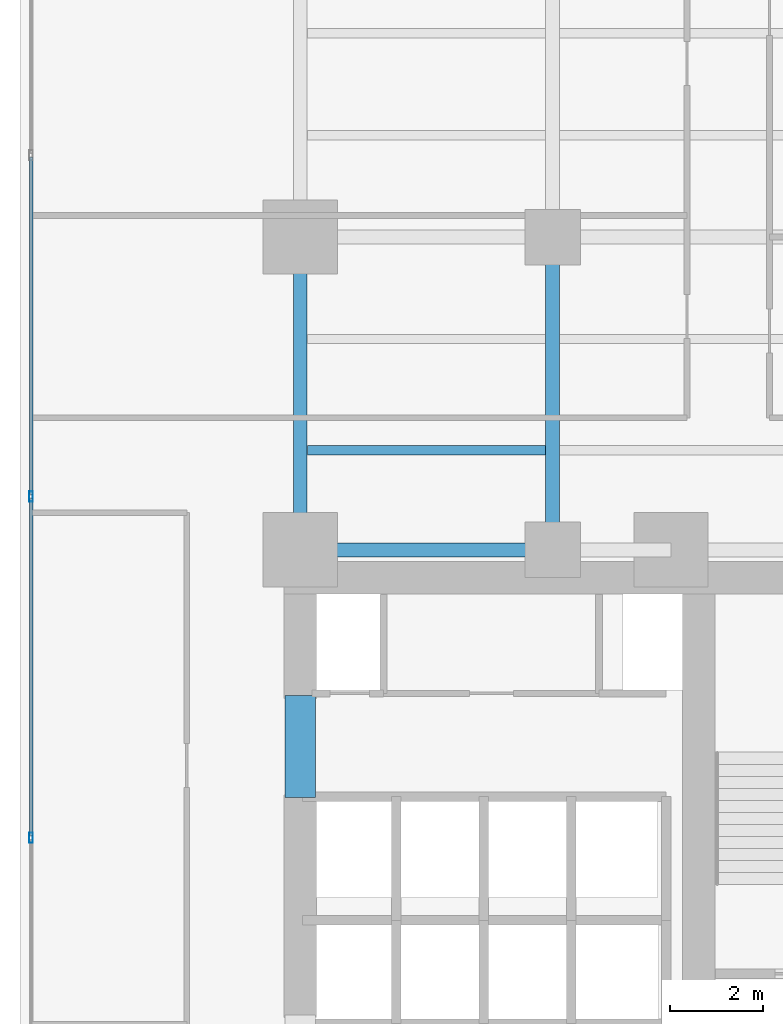
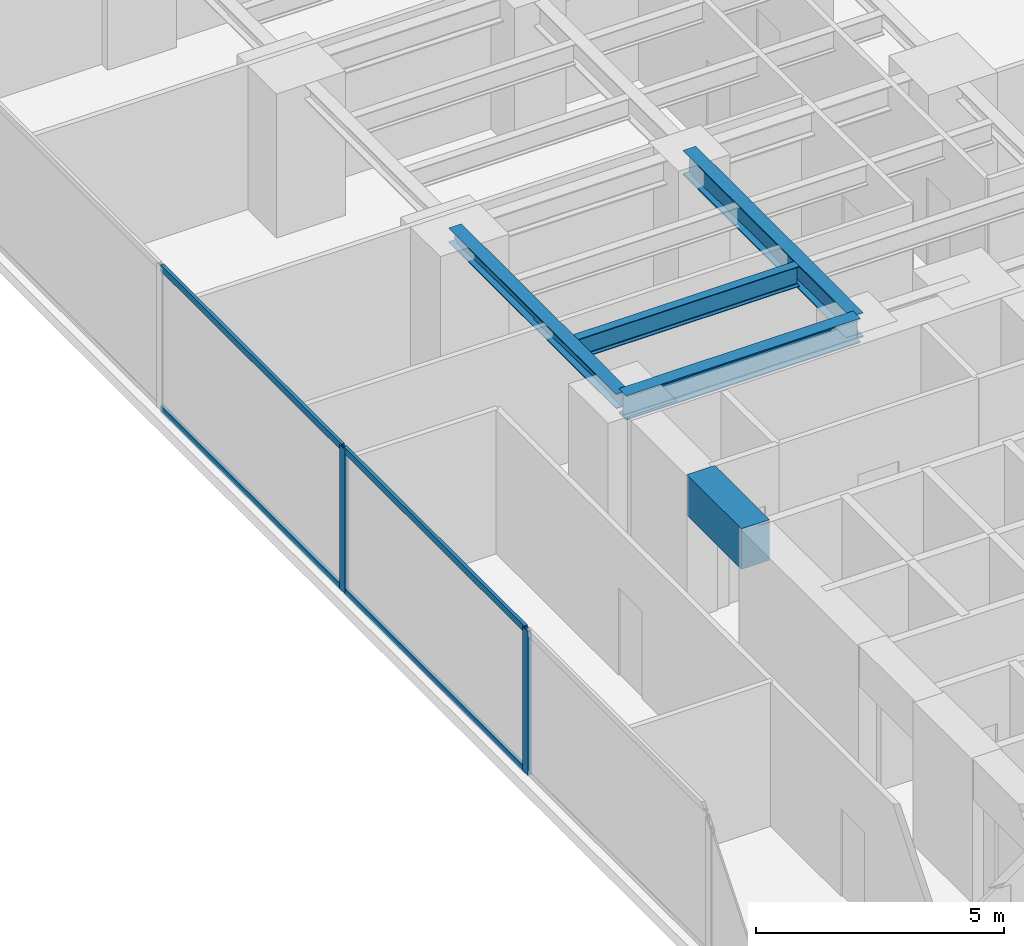
# One storey, part 6 of 27: 6 members, 5 beams, 1 element without a shape of its own.
"""IFC4 building model written with IfcOpenShell, lengths in metres."""

from ifc_helpers import new_model, si_unit, direction, frame, origin, origin_with_axes, origin_2d, place, context, subcontext, project, spatial, rectangle, hollow_rectangle, i_section, extrude, source, transform, mapped, material, layer, layer_set, material_profile, profile_set, type_object, element, aggregate, save


model = new_model("IFC4")

# Units and contexts
model_context = context("Model", 3, precision=1e-05, world=origin(), true_north=direction((0.0, 1.0)))
body_context = subcontext(model_context, "Body", "Model", "MODEL_VIEW")
ifc_project = project(units=[si_unit("LENGTHUNIT", "METRE"), si_unit("AREAUNIT", "SQUARE_METRE"), si_unit("VOLUMEUNIT", "CUBIC_METRE"), si_unit("PLANEANGLEUNIT", "RADIAN"), si_unit("MASSUNIT", "GRAM", prefix="KILO")], contexts=[model_context])

# Site, building, storey
site_placement = place(None, origin())
site = spatial("IfcSite", under=ifc_project, at=site_placement, CompositionType="ELEMENT")
building_placement = place(site_placement, origin())
building = spatial("IfcBuilding", under=site, at=building_placement, Name="Kolvaren Waterfront Exchange", CompositionType="ELEMENT")
storey_placement = place(building_placement, frame((0.0, 0.0, 63.800048828125)))
storey = spatial("IfcBuildingStorey", under=building, at=storey_placement, Name="L16", CompositionType="ELEMENT", Elevation=63.800048828125)

# Beams
ifc_material_1 = material(Name="Steel S355", Category="steel")
ifc_material_profile_1 = material_profile(ifc_material_1, i_section(OverallWidth=0.300048828125, OverallDepth=0.360107421875, WebThickness=0.012451171875, FlangeThickness=0.0224609375, FilletRadius=0.027099609375, at=origin_2d()), Name="HEB360")
ifc_profile_set_1 = profile_set([ifc_material_profile_1], Name="Steel S355")
beam_type_1 = type_object("IfcBeamType", Name="STR-BM-HEB360", PredefinedType="SPANDREL", material=ifc_profile_set_1)
beam_1_placement = place(storey_placement, frame((7.449951171875, 24.449951171875, 3.35986328125), z_axis=(0.0, 1.0, 0.0), x_axis=(-1.0, 0.0, 0.0)))
element("IfcBeam", 1, at=beam_1_placement, inside=storey, type_object=beam_type_1, Name="L16 north-arm edge beam 1", PredefinedType="SPANDREL", context=body_context, shape_type="SweptSolid", body=[
    extrude(i_section(OverallWidth=0.300048828125, OverallDepth=0.360107421875, WebThickness=0.012451171875, FlangeThickness=0.0224609375, FilletRadius=0.027099609375, at=origin_2d()), origin(), (0.0, 0.0, 1.0), 6.75),
])
ifc_material_profile_2 = material_profile(ifc_material_1, i_section(OverallWidth=0.300048828125, OverallDepth=0.60009765625, WebThickness=0.015380859375, FlangeThickness=0.030029296875, FilletRadius=0.027099609375, at=origin_2d()), Name="HEB600")
ifc_profile_set_2 = profile_set([ifc_material_profile_2], Name="Steel S355")
beam_type_2 = type_object("IfcBeamType", Name="STR-BM-HEB600", PredefinedType="BEAM", material=ifc_profile_set_2)
beam_2_placement = place(storey_placement, frame((7.449951171875, 24.449951171875, 3.239990234375), z_axis=(1.0, 0.0, 0.0), x_axis=(0.0, 1.0, 0.0)))
element("IfcBeam", 2, at=beam_2_placement, inside=storey, type_object=beam_type_2, Name="L16 north-arm girder 1A", PredefinedType="BEAM", context=body_context, shape_type="SweptSolid", body=[
    extrude(i_section(OverallWidth=0.300048828125, OverallDepth=0.60009765625, WebThickness=0.015380859375, FlangeThickness=0.030029296875, FilletRadius=0.027099609375, at=origin_2d()), origin(), (0.0, 0.0, 1.0), 5.449951171875),
])
beam_3_placement = place(storey_placement, frame((12.89990234375, 24.449951171875, 3.239990234375), z_axis=(0.0, 1.0, 0.0), x_axis=(-1.0, 0.0, 0.0)))
element("IfcBeam", 3, at=beam_3_placement, inside=storey, type_object=beam_type_2, Name="L16 north-arm edge beam 1", PredefinedType="BEAM", context=body_context, shape_type="SweptSolid", body=[
    extrude(i_section(OverallWidth=0.300048828125, OverallDepth=0.60009765625, WebThickness=0.015380859375, FlangeThickness=0.030029296875, FilletRadius=0.027099609375, at=origin_2d()), origin(), (0.0, 0.0, 1.0), 6.75),
])
ifc_material_profile_3 = material_profile(ifc_material_1, i_section(OverallWidth=0.199951171875, OverallDepth=0.5, WebThickness=0.01025390625, FlangeThickness=0.01611328125, FilletRadius=0.02099609375, at=origin_2d()), Name="IPE500")
ifc_profile_set_3 = profile_set([ifc_material_profile_3], Name="Steel S355")
beam_type_3 = type_object("IfcBeamType", Name="STR-BM-IPE500", PredefinedType="JOIST", material=ifc_profile_set_3)
beam_4_placement = place(storey_placement, frame((7.60205078125, 26.60009765625, 3.2900390625), z_axis=(1.0, 0.0, 0.0), x_axis=(0.0, 1.0, 0.0)))
element("IfcBeam", 4, at=beam_4_placement, inside=storey, type_object=beam_type_3, Name="L16 north-arm composite joist 1A", PredefinedType="JOIST", context=body_context, shape_type="SweptSolid", body=[
    extrude(i_section(OverallWidth=0.199951171875, OverallDepth=0.5, WebThickness=0.01025390625, FlangeThickness=0.01611328125, FilletRadius=0.02099609375, at=origin_2d()), origin(), (0.0, 0.0, 1.0), 5.14599609375),
])
ifc_material_2 = material(Name="Concrete C60/75", Category="concrete")
ifc_material_profile_4 = material_profile(ifc_material_2, rectangle(XDim=0.64990234375, YDim=1.0, at=origin_2d()), Name="RC-CB-1000x650")
ifc_profile_set_4 = profile_set([ifc_material_profile_4], Name="Concrete C60/75")
beam_type_4 = type_object("IfcBeamType", Name="STR-CB-1000", PredefinedType="SPANDREL", material=ifc_profile_set_4)
beam_5_placement = place(storey_placement, frame((7.449951171875, 19.10009765625, 3.0400390625), z_axis=(0.0, 1.0, 0.0), x_axis=(-1.0, 0.0, 0.0)))
element("IfcBeam", 5, at=beam_5_placement, inside=storey, type_object=beam_type_4, Name="L16 core coupling beam 5", PredefinedType="SPANDREL", context=body_context, shape_type="SweptSolid", body=[
    extrude(rectangle(XDim=0.64990234375, YDim=1.0, at=origin_2d()), origin(), (0.0, 0.0, 1.0), 2.199951171875),
])

# Curtain wall, members
ifc_material_3 = material(Name="Anodised aluminium 6063-T6", Category="aluminium")
ifc_layer = layer(ifc_material_3, 0.219970703125, Name="Anodised aluminium 6063-T6")
ifc_layer_set = layer_set([ifc_layer], Name="Anodised aluminium 6063-T6")
curtain_wall_type = type_object("IfcCurtainWallType", Name="ARC-CW-SYS2", PredefinedType="USERDEFINED", material=ifc_layer_set)
curtain_wall_placement = place(storey_placement, origin())
curtain_wall = element("IfcCurtainWall", 6, at=curtain_wall_placement, inside=storey, type_object=curtain_wall_type, Name="L16 stick curtain wall CW2 (CW-L16-W)", ObjectType="STICK CURTAIN WALL", PredefinedType="USERDEFINED")
ifc_material_profile_5 = material_profile(ifc_material_3, hollow_rectangle(XDim=0.074951171875, YDim=0.159912109375, WallThickness=0.00439453125, at=origin_2d()), Name="ALU-TRN-160x75x4.5")
ifc_profile_set_5 = profile_set([ifc_material_profile_5], Name="Anodised aluminium 6063-T6")
member_type_1 = type_object("IfcMemberType", Name="ARC-CWT-160", PredefinedType="USERDEFINED", material=ifc_profile_set_5)
shared_shape_1 = source(origin_with_axes(), body_context, "Body", "SweptSolid", [
    extrude(hollow_rectangle(XDim=0.074951171875, YDim=0.159912109375, WallThickness=0.00439453125, at=origin_2d()), origin(), (0.0, 0.0, 1.0), 7.28662109375),
])
member_1_placement = place(storey_placement, frame((1.639892578125, 18.2734375, 0.037353515625), z_axis=(0.0, 1.0, 0.0), x_axis=(-1.0, 0.0, 0.0)))
member_1 = element("IfcMember", 7, at=member_1_placement, type_object=member_type_1, Name="CW2 transom 3.1", ObjectType="TRANSOM", PredefinedType="USERDEFINED", context=body_context, shape_type="MappedRepresentation", body=[
    mapped(shared_shape_1, transform((0.0, 0.0, 0.0), x_axis=(1.0, 0.0, 0.0), y_axis=(0.0, 1.0, 0.0), z_axis=(0.0, 0.0, 1.0), scale=1.0)),
])
member_2_placement = place(storey_placement, frame((1.639892578125, 18.2734375, 3.50244140625), z_axis=(0.0, 1.0, 0.0), x_axis=(-1.0, 0.0, 0.0)))
member_2 = element("IfcMember", 8, at=member_2_placement, type_object=member_type_1, Name="CW2 transom 3.2", ObjectType="TRANSOM", PredefinedType="USERDEFINED", context=body_context, shape_type="MappedRepresentation", body=[
    mapped(shared_shape_1, transform((0.0, 0.0, 0.0), x_axis=(1.0, 0.0, 0.0), y_axis=(0.0, 1.0, 0.0), z_axis=(0.0, 0.0, 1.0), scale=1.0)),
])
shared_shape_2 = source(origin_with_axes(), body_context, "Body", "SweptSolid", [
    extrude(hollow_rectangle(XDim=0.074951171875, YDim=0.159912109375, WallThickness=0.00439453125, at=origin_2d()), origin(), (0.0, 0.0, 1.0), 7.286865234375),
])
member_3_placement = place(storey_placement, frame((1.639892578125, 25.639892578125, 0.037353515625), z_axis=(0.0, 1.0, 0.0), x_axis=(-1.0, 0.0, 0.0)))
member_3 = element("IfcMember", 9, at=member_3_placement, type_object=member_type_1, Name="CW2 transom 4.1", ObjectType="TRANSOM", PredefinedType="USERDEFINED", context=body_context, shape_type="MappedRepresentation", body=[
    mapped(shared_shape_2, transform((0.0, 0.0, 0.0), x_axis=(1.0, 0.0, 0.0), y_axis=(0.0, 1.0, 0.0), z_axis=(0.0, 0.0, 1.0), scale=1.0)),
])
member_4_placement = place(storey_placement, frame((1.639892578125, 25.639892578125, 3.50244140625), z_axis=(0.0, 1.0, 0.0), x_axis=(-1.0, 0.0, 0.0)))
member_4 = element("IfcMember", 10, at=member_4_placement, type_object=member_type_1, Name="CW2 transom 4.2", ObjectType="TRANSOM", PredefinedType="USERDEFINED", context=body_context, shape_type="MappedRepresentation", body=[
    mapped(shared_shape_2, transform((0.0, 0.0, 0.0), x_axis=(1.0, 0.0, 0.0), y_axis=(0.0, 1.0, 0.0), z_axis=(0.0, 0.0, 1.0), scale=1.0)),
])
ifc_material_profile_6 = material_profile(ifc_material_3, hollow_rectangle(XDim=0.080078125, YDim=0.219970703125, WallThickness=0.0048828125, at=origin_2d()), Name="ALU-MUL-220x80x5")
ifc_profile_set_6 = profile_set([ifc_material_profile_6], Name="Anodised aluminium 6063-T6")
member_type_2 = type_object("IfcMemberType", Name="ARC-CWM-220", PredefinedType="MULLION", material=ifc_profile_set_6)
shared_shape_3 = source(origin_with_axes(), body_context, "Body", "SweptSolid", [
    extrude(hollow_rectangle(XDim=0.080078125, YDim=0.219970703125, WallThickness=0.0048828125, at=origin_2d()), origin(), (0.0, 0.0, 1.0), 3.5400390625),
])
member_5_placement = place(storey_placement, frame((1.639892578125, 18.2333984375, 0.0), z_axis=(0.0, 0.0, 1.0), x_axis=(-1.0, 0.0, 0.0)))
member_5 = element("IfcMember", 11, at=member_5_placement, type_object=member_type_2, Name="CW2 mullion 3", PredefinedType="MULLION", context=body_context, shape_type="MappedRepresentation", body=[
    mapped(shared_shape_3, transform((0.0, 0.0, 0.0), x_axis=(1.0, 0.0, 0.0), y_axis=(0.0, 1.0, 0.0), z_axis=(0.0, 0.0, 1.0), scale=1.0)),
])
member_6_placement = place(storey_placement, frame((1.639892578125, 25.60009765625, 0.0), z_axis=(0.0, 0.0, 1.0), x_axis=(-1.0, 0.0, 0.0)))
member_6 = element("IfcMember", 12, at=member_6_placement, type_object=member_type_2, Name="CW2 mullion 4", PredefinedType="MULLION", context=body_context, shape_type="MappedRepresentation", body=[
    mapped(shared_shape_3, transform((0.0, 0.0, 0.0), x_axis=(1.0, 0.0, 0.0), y_axis=(0.0, 1.0, 0.0), z_axis=(0.0, 0.0, 1.0), scale=1.0)),
])
aggregate(curtain_wall, [member_5, member_6, member_1, member_2, member_3, member_4])

save(model, "model.ifc")
